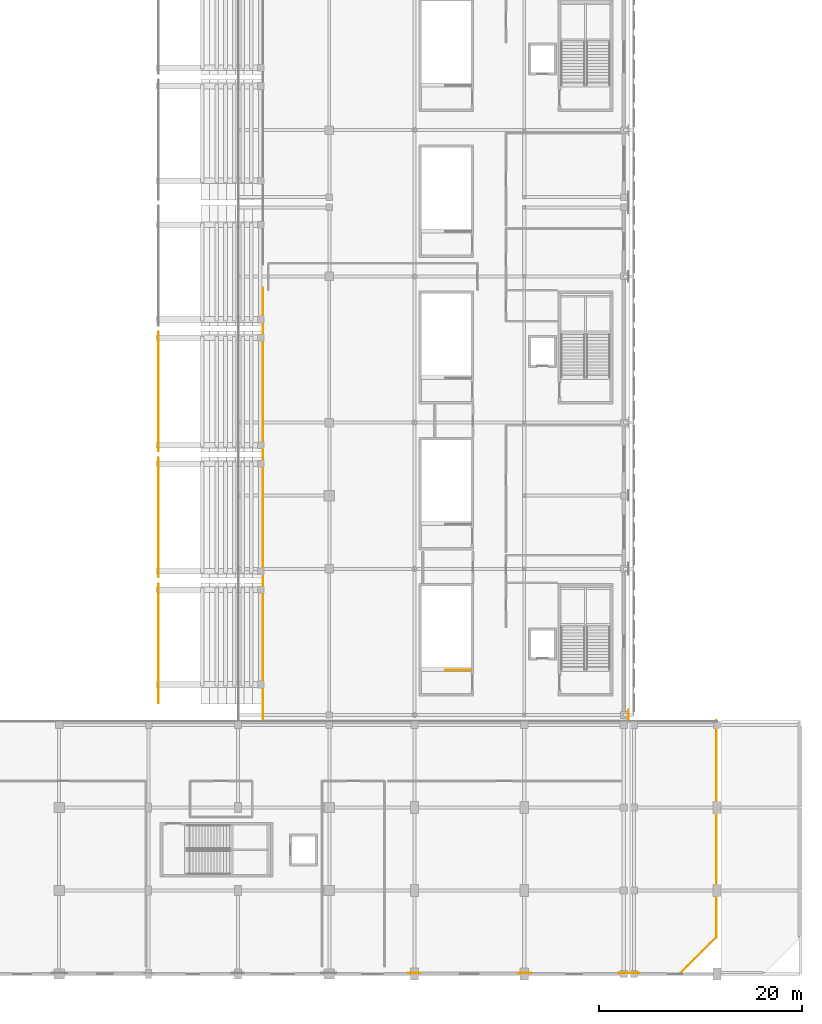
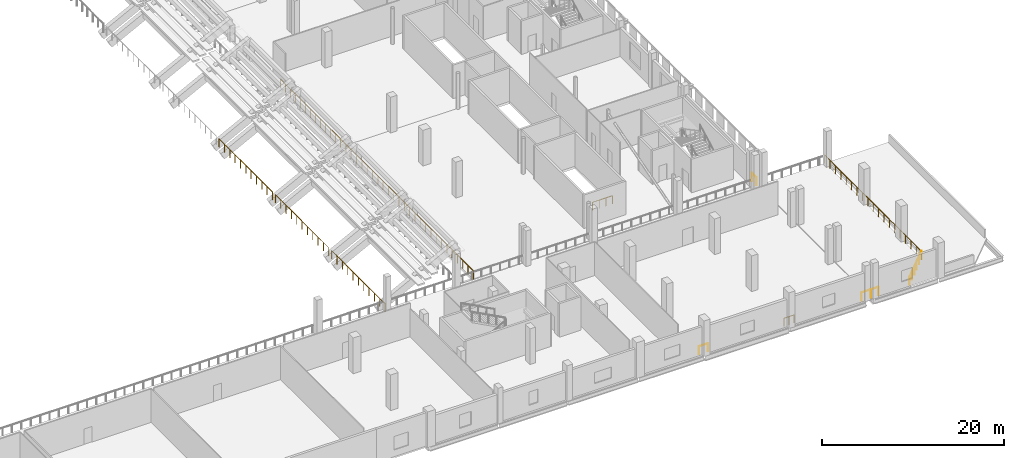
# One storey, part 65 of 74: 13 railings.
"""IFC4 building model written with IfcOpenShell, lengths in metres."""

from ifc_helpers import new_model, si_unit, direction, frame, origin, origin_2d, place, context, subcontext, project, spatial, circle, extrude, material, type_object, element, save


model = new_model("IFC4")

# Units and contexts
model_context = context("Model", 3, precision=1e-05, world=origin(), true_north=direction((0.0, 1.0)))
body_context = subcontext(model_context, "Body", "Model", "MODEL_VIEW")
ifc_project = project(units=[si_unit("LENGTHUNIT", "METRE"), si_unit("AREAUNIT", "SQUARE_METRE"), si_unit("VOLUMEUNIT", "CUBIC_METRE"), si_unit("PLANEANGLEUNIT", "RADIAN"), si_unit("MASSUNIT", "GRAM", prefix="KILO")], contexts=[model_context])

# Site, building, storey
site_placement = place(None, origin())
site = spatial("IfcSite", under=ifc_project, at=site_placement, CompositionType="ELEMENT")
building_placement = place(site_placement, origin())
building = spatial("IfcBuilding", under=site, at=building_placement, Name="Koshinbarg Plaza Stadium", CompositionType="ELEMENT")
storey_placement = place(building_placement, frame((0.0, 0.0, 15.0)))
storey = spatial("IfcBuildingStorey", under=building, at=storey_placement, Name="L03", CompositionType="ELEMENT", Elevation=15.0)

# Railings
ifc_material_1 = material(Name="Toughened laminated glass and stainless steel sightline balustrade", Category="steel")
railing_type_1 = type_object("IfcRailingType", Name="RL-BOWL-1100", PredefinedType="BALUSTRADE", material=ifc_material_1)
for number, where, name in (
    (1, (172.580078125, 26.679931640625, -1.780029296875), "UT-E01 front stand crowd barrier"),
    (2, (172.580078125, 39.080078125, -1.780029296875), "UT-E02 front stand crowd barrier"),
    (3, (172.580078125, 51.47998046875, -1.780029296875), "UT-E03 front stand crowd barrier"),
):
    element("IfcRailing", number, at=place(storey_placement, frame(where)), inside=storey, type_object=railing_type_1, Name=name, PredefinedType="BALUSTRADE", context=body_context, shape_type="SweptSolid", body=[
        extrude(circle(Radius=0.02392578125, at=origin_2d()), frame((0.0, 0.0, 1.076171875), z_axis=(0.0, 1.0, 0.0), x_axis=(-1.0, 0.0, 0.0)), (0.0, 0.0, 1.0), 11.739990234375),
        extrude(circle(Radius=0.02099609375, at=origin_2d()), origin(), (0.0, 0.0, 1.0), 1.052001953125),
        extrude(circle(Radius=0.02099609375, at=origin_2d()), frame((0.0, 1.174072265625, 0.0)), (0.0, 0.0, 1.0), 1.052001953125),
        extrude(circle(Radius=0.02099609375, at=origin_2d()), frame((0.0, 2.347900390625, 0.0)), (0.0, 0.0, 1.0), 1.052001953125),
        extrude(circle(Radius=0.02099609375, at=origin_2d()), frame((0.0, 3.52197265625, 0.0)), (0.0, 0.0, 1.0), 1.052001953125),
        extrude(circle(Radius=0.02099609375, at=origin_2d()), frame((0.0, 4.696044921875, 0.0)), (0.0, 0.0, 1.0), 1.052001953125),
        extrude(circle(Radius=0.02099609375, at=origin_2d()), frame((0.0, 5.8701171875, 0.0)), (0.0, 0.0, 1.0), 1.052001953125),
        extrude(circle(Radius=0.02099609375, at=origin_2d()), frame((0.0, 7.0439453125, 0.0)), (0.0, 0.0, 1.0), 1.052001953125),
        extrude(circle(Radius=0.02099609375, at=origin_2d()), frame((0.0, 8.218017578125, 0.0)), (0.0, 0.0, 1.0), 1.052001953125),
        extrude(circle(Radius=0.02099609375, at=origin_2d()), frame((0.0, 9.39208984375, 0.0)), (0.0, 0.0, 1.0), 1.052001953125),
        extrude(circle(Radius=0.02099609375, at=origin_2d()), frame((0.0, 10.56591796875, 0.0)), (0.0, 0.0, 1.0), 1.052001953125),
        extrude(circle(Radius=0.02099609375, at=origin_2d()), frame((0.0, 11.739990234375, 0.0)), (0.0, 0.0, 1.0), 1.052001953125),
    ])
railing_1_placement = place(storey_placement, frame((182.8798828125, 25.044921875, 0.0)))
element("IfcRailing", 4, at=railing_1_placement, inside=storey, type_object=railing_type_1, Name="L03 deck edge safety balustrade 0235", PredefinedType="BALUSTRADE", context=body_context, shape_type="SweptSolid", body=[
    extrude(circle(Radius=0.02392578125, at=origin_2d()), frame((0.0, 0.0, 1.076171875), z_axis=(0.0, 1.0, 0.0), x_axis=(-1.0, 0.0, 0.0)), (0.0, 0.0, 1.0), 29.255126953125),
    extrude(circle(Radius=0.02099609375, at=origin_2d()), origin(), (0.0, 0.0, 1.0), 1.052001953125),
    extrude(circle(Radius=0.02099609375, at=origin_2d()), frame((0.0, 1.170166015625, 0.0)), (0.0, 0.0, 1.0), 1.052001953125),
    extrude(circle(Radius=0.02099609375, at=origin_2d()), frame((0.0, 2.34033203125, 0.0)), (0.0, 0.0, 1.0), 1.052001953125),
    extrude(circle(Radius=0.02099609375, at=origin_2d()), frame((0.0, 3.510498046875, 0.0)), (0.0, 0.0, 1.0), 1.052001953125),
    extrude(circle(Radius=0.02099609375, at=origin_2d()), frame((0.0, 4.680908203125, 0.0)), (0.0, 0.0, 1.0), 1.052001953125),
    extrude(circle(Radius=0.02099609375, at=origin_2d()), frame((0.0, 5.85107421875, 0.0)), (0.0, 0.0, 1.0), 1.052001953125),
    extrude(circle(Radius=0.02099609375, at=origin_2d()), frame((0.0, 7.021240234375, 0.0)), (0.0, 0.0, 1.0), 1.052001953125),
    extrude(circle(Radius=0.02099609375, at=origin_2d()), frame((0.0, 8.19140625, 0.0)), (0.0, 0.0, 1.0), 1.052001953125),
    extrude(circle(Radius=0.02099609375, at=origin_2d()), frame((0.0, 9.361572265625, 0.0)), (0.0, 0.0, 1.0), 1.052001953125),
    extrude(circle(Radius=0.02099609375, at=origin_2d()), frame((0.0, 10.53173828125, 0.0)), (0.0, 0.0, 1.0), 1.052001953125),
    extrude(circle(Radius=0.02099609375, at=origin_2d()), frame((0.0, 11.7021484375, 0.0)), (0.0, 0.0, 1.0), 1.052001953125),
    extrude(circle(Radius=0.02099609375, at=origin_2d()), frame((0.0, 12.872314453125, 0.0)), (0.0, 0.0, 1.0), 1.052001953125),
    extrude(circle(Radius=0.02099609375, at=origin_2d()), frame((0.0, 14.04248046875, 0.0)), (0.0, 0.0, 1.0), 1.052001953125),
    extrude(circle(Radius=0.02099609375, at=origin_2d()), frame((0.0, 15.212646484375, 0.0)), (0.0, 0.0, 1.0), 1.052001953125),
    extrude(circle(Radius=0.02099609375, at=origin_2d()), frame((0.0, 16.3828125, 0.0)), (0.0, 0.0, 1.0), 1.052001953125),
    extrude(circle(Radius=0.02099609375, at=origin_2d()), frame((0.0, 17.552978515625, 0.0)), (0.0, 0.0, 1.0), 1.052001953125),
    extrude(circle(Radius=0.02099609375, at=origin_2d()), frame((0.0, 18.723388671875, 0.0)), (0.0, 0.0, 1.0), 1.052001953125),
    extrude(circle(Radius=0.02099609375, at=origin_2d()), frame((0.0, 19.8935546875, 0.0)), (0.0, 0.0, 1.0), 1.052001953125),
    extrude(circle(Radius=0.02099609375, at=origin_2d()), frame((0.0, 21.063720703125, 0.0)), (0.0, 0.0, 1.0), 1.052001953125),
    extrude(circle(Radius=0.02099609375, at=origin_2d()), frame((0.0, 22.23388671875, 0.0)), (0.0, 0.0, 1.0), 1.052001953125),
    extrude(circle(Radius=0.02099609375, at=origin_2d()), frame((0.0, 23.404052734375, 0.0)), (0.0, 0.0, 1.0), 1.052001953125),
    extrude(circle(Radius=0.02099609375, at=origin_2d()), frame((0.0, 24.57421875, 0.0)), (0.0, 0.0, 1.0), 1.052001953125),
    extrude(circle(Radius=0.02099609375, at=origin_2d()), frame((0.0, 25.74462890625, 0.0)), (0.0, 0.0, 1.0), 1.052001953125),
    extrude(circle(Radius=0.02099609375, at=origin_2d()), frame((0.0, 26.914794921875, 0.0)), (0.0, 0.0, 1.0), 1.052001953125),
    extrude(circle(Radius=0.02099609375, at=origin_2d()), frame((0.0, 28.0849609375, 0.0)), (0.0, 0.0, 1.0), 1.052001953125),
    extrude(circle(Radius=0.02099609375, at=origin_2d()), frame((0.0, 29.255126953125, 0.0)), (0.0, 0.0, 1.0), 1.052001953125),
])
railing_2_placement = place(storey_placement, frame((218.875, 25.9912109375, 0.0)))
element("IfcRailing", 5, at=railing_2_placement, inside=storey, type_object=railing_type_1, Name="L03 deck edge safety balustrade 0239", PredefinedType="BALUSTRADE", context=body_context, shape_type="SweptSolid", body=[
    extrude(circle(Radius=0.02392578125, at=origin_2d()), frame((0.0, 0.0, 1.076171875), z_axis=(0.0, -1.0, 0.0), x_axis=(1.0, 0.0, 0.0)), (0.0, 0.0, 1.0), 0.9462890625),
    extrude(circle(Radius=0.02099609375, at=origin_2d()), origin(), (0.0, 0.0, 1.0), 1.052001953125),
    extrude(circle(Radius=0.02099609375, at=origin_2d()), frame((0.0, -0.9462890625, 0.0)), (0.0, 0.0, 1.0), 1.052001953125),
])
railing_3_placement = place(storey_placement, frame((182.8798828125, 54.300048828125, 0.0)))
element("IfcRailing", 6, at=railing_3_placement, inside=storey, type_object=railing_type_1, Name="L03 deck edge safety balustrade 0240", PredefinedType="BALUSTRADE", context=body_context, shape_type="SweptSolid", body=[
    extrude(circle(Radius=0.02392578125, at=origin_2d()), frame((0.0, 0.0, 1.076171875), z_axis=(0.0, 1.0, 0.0), x_axis=(-1.0, 0.0, 0.0)), (0.0, 0.0, 1.0), 13.25),
    extrude(circle(Radius=0.02099609375, at=origin_2d()), origin(), (0.0, 0.0, 1.0), 1.052001953125),
    extrude(circle(Radius=0.02099609375, at=origin_2d()), frame((0.0, 1.104248046875, 0.0)), (0.0, 0.0, 1.0), 1.052001953125),
    extrude(circle(Radius=0.02099609375, at=origin_2d()), frame((0.0, 2.208251953125, 0.0)), (0.0, 0.0, 1.0), 1.052001953125),
    extrude(circle(Radius=0.02099609375, at=origin_2d()), frame((0.0, 3.3125, 0.0)), (0.0, 0.0, 1.0), 1.052001953125),
    extrude(circle(Radius=0.02099609375, at=origin_2d()), frame((0.0, 4.416748046875, 0.0)), (0.0, 0.0, 1.0), 1.052001953125),
    extrude(circle(Radius=0.02099609375, at=origin_2d()), frame((0.0, 5.520751953125, 0.0)), (0.0, 0.0, 1.0), 1.052001953125),
    extrude(circle(Radius=0.02099609375, at=origin_2d()), frame((0.0, 6.625, 0.0)), (0.0, 0.0, 1.0), 1.052001953125),
    extrude(circle(Radius=0.02099609375, at=origin_2d()), frame((0.0, 7.729248046875, 0.0)), (0.0, 0.0, 1.0), 1.052001953125),
    extrude(circle(Radius=0.02099609375, at=origin_2d()), frame((0.0, 8.833251953125, 0.0)), (0.0, 0.0, 1.0), 1.052001953125),
    extrude(circle(Radius=0.02099609375, at=origin_2d()), frame((0.0, 9.9375, 0.0)), (0.0, 0.0, 1.0), 1.052001953125),
    extrude(circle(Radius=0.02099609375, at=origin_2d()), frame((0.0, 11.041748046875, 0.0)), (0.0, 0.0, 1.0), 1.052001953125),
    extrude(circle(Radius=0.02099609375, at=origin_2d()), frame((0.0, 12.145751953125, 0.0)), (0.0, 0.0, 1.0), 1.052001953125),
    extrude(circle(Radius=0.02099609375, at=origin_2d()), frame((0.0, 13.25, 0.0)), (0.0, 0.0, 1.0), 1.052001953125),
])
railing_4_placement = place(storey_placement, frame((218.955078125, 0.080078125, 0.0)))
element("IfcRailing", 7, at=railing_4_placement, inside=storey, type_object=railing_type_1, Name="L03 deck edge safety balustrade 0270", PredefinedType="BALUSTRADE", context=body_context, shape_type="SweptSolid", body=[
    extrude(circle(Radius=0.02392578125, at=origin_2d()), frame((0.0, 0.0, 1.076171875), z_axis=(-1.0, 0.0, 0.0), x_axis=(0.0, -1.0, 0.0)), (0.0, 0.0, 1.0), 1.09912109375),
    extrude(circle(Radius=0.02099609375, at=origin_2d()), origin(), (0.0, 0.0, 1.0), 1.052001953125),
    extrude(circle(Radius=0.02099609375, at=origin_2d()), frame((-1.09912109375, 0.0, 0.0)), (0.0, 0.0, 1.0), 1.052001953125),
])
railing_5_placement = place(storey_placement, frame((209.264404296875, 0.080078125, 0.0)))
element("IfcRailing", 8, at=railing_5_placement, inside=storey, type_object=railing_type_1, Name="L03 deck edge safety balustrade 0271", PredefinedType="BALUSTRADE", context=body_context, shape_type="SweptSolid", body=[
    extrude(circle(Radius=0.02392578125, at=origin_2d()), frame((0.0, 0.0, 1.076171875), z_axis=(-1.0, 0.0, 0.0), x_axis=(0.0, -1.0, 0.0)), (0.0, 0.0, 1.0), 1.299072265625),
    extrude(circle(Radius=0.02099609375, at=origin_2d()), origin(), (0.0, 0.0, 1.0), 1.052001953125),
    extrude(circle(Radius=0.02099609375, at=origin_2d()), frame((-0.6494140625, 0.0, 0.0)), (0.0, 0.0, 1.0), 1.052001953125),
    extrude(circle(Radius=0.02099609375, at=origin_2d()), frame((-1.299072265625, 0.0, 0.0)), (0.0, 0.0, 1.0), 1.052001953125),
])
railing_6_placement = place(storey_placement, frame((198.32470703125, 0.080078125, 0.0)))
element("IfcRailing", 9, at=railing_6_placement, inside=storey, type_object=railing_type_1, Name="L03 deck edge safety balustrade 0272", PredefinedType="BALUSTRADE", context=body_context, shape_type="SweptSolid", body=[
    extrude(circle(Radius=0.02392578125, at=origin_2d()), frame((0.0, 0.0, 1.076171875), z_axis=(-1.0, 0.0, 0.0), x_axis=(0.0, -1.0, 0.0)), (0.0, 0.0, 1.0), 1.149169921875),
    extrude(circle(Radius=0.02099609375, at=origin_2d()), origin(), (0.0, 0.0, 1.0), 1.052001953125),
    extrude(circle(Radius=0.02099609375, at=origin_2d()), frame((-1.149169921875, 0.0, 0.0)), (0.0, 0.0, 1.0), 1.052001953125),
])
railing_7_placement = place(storey_placement, frame((227.52001953125, 24.955078125, 0.0)))
element("IfcRailing", 10, at=railing_7_placement, inside=storey, type_object=railing_type_1, Name="L03 deck edge safety balustrade 0277", PredefinedType="BALUSTRADE", context=body_context, shape_type="SweptSolid", body=[
    extrude(circle(Radius=0.02392578125, at=origin_2d()), frame((0.0, 0.0, 1.076171875), z_axis=(0.0, -1.0, 0.0), x_axis=(1.0, 0.0, 0.0)), (0.0, 0.0, 1.0), 21.35498046875),
    extrude(circle(Radius=0.02099609375, at=origin_2d()), origin(), (0.0, 0.0, 1.0), 1.052001953125),
    extrude(circle(Radius=0.02099609375, at=origin_2d()), frame((0.0, -1.186279296875, 0.0)), (0.0, 0.0, 1.0), 1.052001953125),
    extrude(circle(Radius=0.02099609375, at=origin_2d()), frame((0.0, -2.372802734375, 0.0)), (0.0, 0.0, 1.0), 1.052001953125),
    extrude(circle(Radius=0.02099609375, at=origin_2d()), frame((0.0, -3.55908203125, 0.0)), (0.0, 0.0, 1.0), 1.052001953125),
    extrude(circle(Radius=0.02099609375, at=origin_2d()), frame((0.0, -4.74560546875, 0.0)), (0.0, 0.0, 1.0), 1.052001953125),
    extrude(circle(Radius=0.02099609375, at=origin_2d()), frame((0.0, -5.931884765625, 0.0)), (0.0, 0.0, 1.0), 1.052001953125),
    extrude(circle(Radius=0.02099609375, at=origin_2d()), frame((0.0, -7.118408203125, 0.0)), (0.0, 0.0, 1.0), 1.052001953125),
    extrude(circle(Radius=0.02099609375, at=origin_2d()), frame((0.0, -8.3046875, 0.0)), (0.0, 0.0, 1.0), 1.052001953125),
    extrude(circle(Radius=0.02099609375, at=origin_2d()), frame((0.0, -9.4912109375, 0.0)), (0.0, 0.0, 1.0), 1.052001953125),
    extrude(circle(Radius=0.02099609375, at=origin_2d()), frame((0.0, -10.677490234375, 0.0)), (0.0, 0.0, 1.0), 1.052001953125),
    extrude(circle(Radius=0.02099609375, at=origin_2d()), frame((0.0, -11.86376953125, 0.0)), (0.0, 0.0, 1.0), 1.052001953125),
    extrude(circle(Radius=0.02099609375, at=origin_2d()), frame((0.0, -13.05029296875, 0.0)), (0.0, 0.0, 1.0), 1.052001953125),
    extrude(circle(Radius=0.02099609375, at=origin_2d()), frame((0.0, -14.236572265625, 0.0)), (0.0, 0.0, 1.0), 1.052001953125),
    extrude(circle(Radius=0.02099609375, at=origin_2d()), frame((0.0, -15.423095703125, 0.0)), (0.0, 0.0, 1.0), 1.052001953125),
    extrude(circle(Radius=0.02099609375, at=origin_2d()), frame((0.0, -16.609375, 0.0)), (0.0, 0.0, 1.0), 1.052001953125),
    extrude(circle(Radius=0.02099609375, at=origin_2d()), frame((0.0, -17.7958984375, 0.0)), (0.0, 0.0, 1.0), 1.052001953125),
    extrude(circle(Radius=0.02099609375, at=origin_2d()), frame((0.0, -18.982177734375, 0.0)), (0.0, 0.0, 1.0), 1.052001953125),
    extrude(circle(Radius=0.02099609375, at=origin_2d()), frame((0.0, -20.168701171875, 0.0)), (0.0, 0.0, 1.0), 1.052001953125),
    extrude(circle(Radius=0.02099609375, at=origin_2d()), frame((0.0, -21.35498046875, 0.0)), (0.0, 0.0, 1.0), 1.052001953125),
])
railing_8_placement = place(storey_placement, frame((227.54345703125, 3.656494140625, 0.0)))
element("IfcRailing", 11, at=railing_8_placement, inside=storey, type_object=railing_type_1, Name="L03 deck edge safety balustrade 0278", PredefinedType="BALUSTRADE", context=body_context, shape_type="SweptSolid", body=[
    extrude(circle(Radius=0.02392578125, at=origin_2d()), frame((0.0, 0.0, 1.076171875), z_axis=(-0.707130757816, -0.707082803744, 0.0), x_axis=(0.707082803744, -0.707130757816, 0.0)), (0.0, 0.0, 1.0), 5.091064453125),
    extrude(circle(Radius=0.02099609375, at=origin_2d()), origin(), (0.0, 0.0, 1.0), 1.052001953125),
    extrude(circle(Radius=0.02099609375, at=origin_2d()), frame((-0.719970703125, -0.719970703125, 0.0)), (0.0, 0.0, 1.0), 1.052001953125),
    extrude(circle(Radius=0.02099609375, at=origin_2d()), frame((-1.43994140625, -1.43994140625, 0.0)), (0.0, 0.0, 1.0), 1.052001953125),
    extrude(circle(Radius=0.02099609375, at=origin_2d()), frame((-2.16015625, -2.159912109375, 0.0)), (0.0, 0.0, 1.0), 1.052001953125),
    extrude(circle(Radius=0.02099609375, at=origin_2d()), frame((-2.880126953125, -2.8798828125, 0.0)), (0.0, 0.0, 1.0), 1.052001953125),
    extrude(circle(Radius=0.02099609375, at=origin_2d()), frame((-3.60009765625, -3.599853515625, 0.0)), (0.0, 0.0, 1.0), 1.052001953125),
])
railing_9_placement = place(storey_placement, frame((219.9736328125, 0.080078125, 0.0)))
element("IfcRailing", 12, at=railing_9_placement, inside=storey, type_object=railing_type_1, Name="L03 deck edge safety balustrade 0279", PredefinedType="BALUSTRADE", context=body_context, shape_type="SweptSolid", body=[
    extrude(circle(Radius=0.02392578125, at=origin_2d()), frame((0.0, 0.0, 1.076171875), z_axis=(-1.0, 0.0, 0.0), x_axis=(0.0, -1.0, 0.0)), (0.0, 0.0, 1.0), 0.9287109375),
    extrude(circle(Radius=0.02099609375, at=origin_2d()), origin(), (0.0, 0.0, 1.0), 1.052001953125),
    extrude(circle(Radius=0.02099609375, at=origin_2d()), frame((-0.9287109375, 0.0, 0.0)), (0.0, 0.0, 1.0), 1.052001953125),
])
ifc_material_2 = material(Name="Galvanized painted steel guardrail", Category="steel")
railing_type_2 = type_object("IfcRailingType", Name="RL-GUARD-1100", PredefinedType="GUARDRAIL", material=ifc_material_2)
railing_10_placement = place(storey_placement, frame((203.3701171875, 29.909912109375, 0.0)))
element("IfcRailing", 13, at=railing_10_placement, inside=storey, type_object=railing_type_2, Name="L03 VX07 top stairwell guard 1", PredefinedType="GUARDRAIL", context=body_context, shape_type="SweptSolid", body=[
    extrude(circle(Radius=0.02392578125, at=origin_2d()), frame((0.0, 0.0, 1.076171875), z_axis=(-1.0, 0.0, 0.0), x_axis=(0.0, -1.0, 0.0)), (0.0, 0.0, 1.0), 2.510009765625),
    extrude(circle(Radius=0.02099609375, at=origin_2d()), origin(), (0.0, 0.0, 1.0), 1.052001953125),
    extrude(circle(Radius=0.02099609375, at=origin_2d()), frame((-0.836669921875, 0.0, 0.0)), (0.0, 0.0, 1.0), 1.052001953125),
    extrude(circle(Radius=0.02099609375, at=origin_2d()), frame((-1.67333984375, 0.0, 0.0)), (0.0, 0.0, 1.0), 1.052001953125),
    extrude(circle(Radius=0.02099609375, at=origin_2d()), frame((-2.510009765625, 0.0, 0.0)), (0.0, 0.0, 1.0), 1.052001953125),
])

save(model, "model.ifc")
